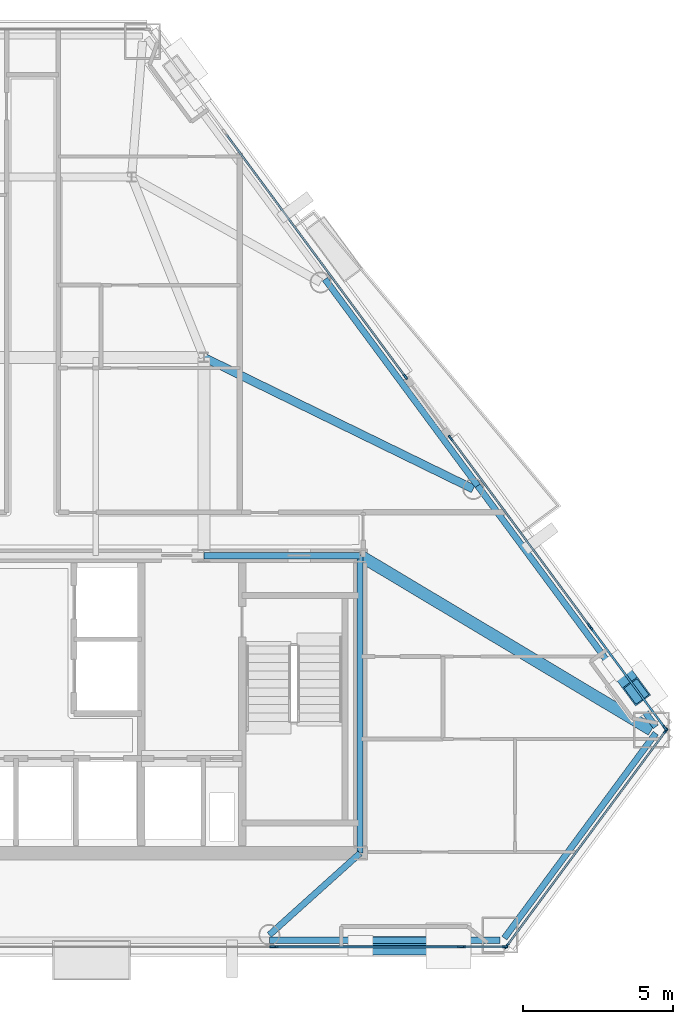
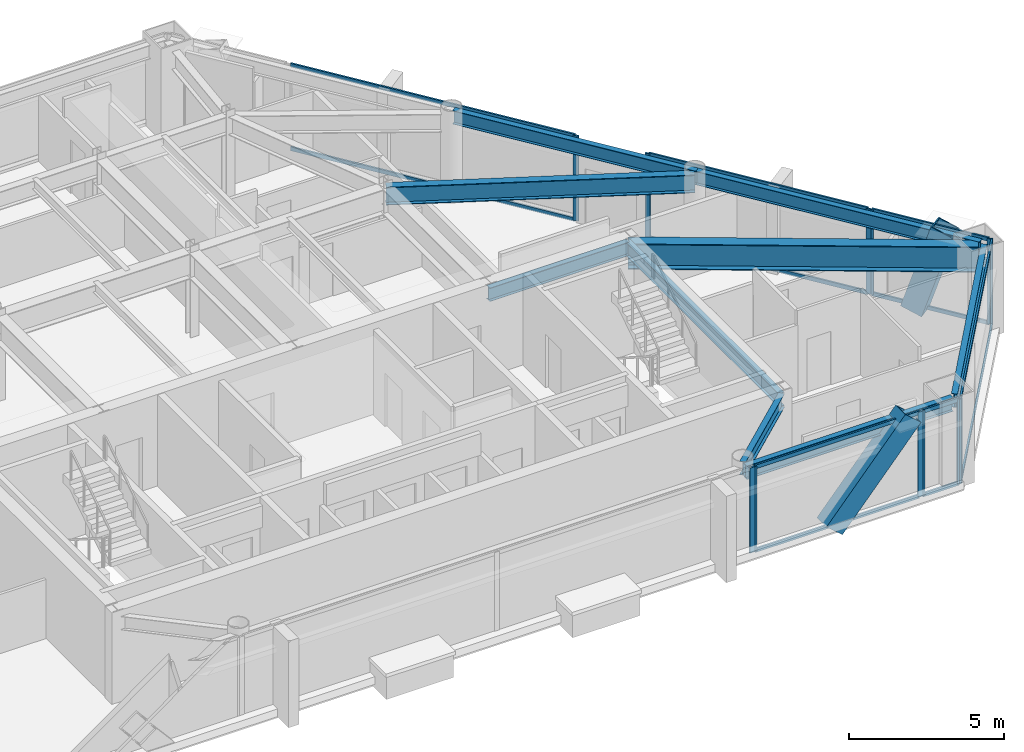
# One storey, part 5 of 11: 26 members, 9 beams, 7 elements without a shape of their own.
"""IFC4 building model written with IfcOpenShell, lengths in metres."""

from ifc_helpers import new_model, si_unit, direction, frame, origin, origin_2d, place, context, subcontext, project, spatial, rectangle, hollow_rectangle, i_section, extrude, material, layer, layer_set, material_profile, profile_set, type_object, element, aggregate, save


model = new_model("IFC4")

# Units and contexts
model_context = context("Model", 3, precision=1e-05, world=origin(), true_north=direction((0.0, 1.0)))
body_context = subcontext(model_context, "Body", "Model", "MODEL_VIEW")
ifc_project = project(units=[si_unit("LENGTHUNIT", "METRE"), si_unit("AREAUNIT", "SQUARE_METRE"), si_unit("VOLUMEUNIT", "CUBIC_METRE"), si_unit("PLANEANGLEUNIT", "RADIAN"), si_unit("MASSUNIT", "GRAM", prefix="KILO")], contexts=[model_context])

# Site, building, storey
site_placement = place(None, origin())
site = spatial("IfcSite", under=ifc_project, at=site_placement, CompositionType="ELEMENT")
building_placement = place(site_placement, origin())
building = spatial("IfcBuilding", under=site, at=building_placement, Name="Talgorran Terracotta Tower", CompositionType="ELEMENT")
storey_placement = place(building_placement, frame((0.0, 0.0, 129.300048828125)))
storey = spatial("IfcBuildingStorey", under=building, at=storey_placement, Name="L33", CompositionType="ELEMENT", Elevation=129.300048828125)

# Beams
ifc_material_1 = material(Name="Steel Grade 350 (350L0)", Category="steel")
ifc_material_profile_1 = material_profile(ifc_material_1, i_section(OverallWidth=0.39990234375, OverallDepth=1.0, WebThickness=0.01611328125, FlangeThickness=0.031005859375, at=origin_2d()), Name="1000WB296")
ifc_profile_set_1 = profile_set([ifc_material_profile_1], Name="Steel Grade 350 (350L0)")
beam_type_1 = type_object("IfcBeamType", Name="BM_1000WB296", PredefinedType="BEAM", material=ifc_profile_set_1)
beam_1_placement = place(storey_placement, frame((12.39990234375, -4.199951171875, 2.849853515625), z_axis=(0.858174722871, -0.513357716436, 0.0), x_axis=(0.513357716436, 0.858174722871, 0.0)))
element("IfcBeam", 1, at=beam_1_placement, inside=storey, type_object=beam_type_1, Name="L33 Floor Girder G18", PredefinedType="BEAM", context=body_context, shape_type="SweptSolid", body=[
    extrude(i_section(OverallWidth=0.39990234375, OverallDepth=1.0, WebThickness=0.01611328125, FlangeThickness=0.031005859375, at=origin_2d()), origin(), (0.0, 0.0, 1.0), 11.298828125),
])
ifc_material_2 = material(Name="Steel S355 (300PLUS)", Category="steel")
ifc_material_profile_2 = material_profile(ifc_material_2, i_section(OverallWidth=0.27490234375, OverallDepth=0.7080078125, WebThickness=0.011962890625, FlangeThickness=0.02490234375, at=origin_2d()), Name="700WB173")
ifc_profile_set_2 = profile_set([ifc_material_profile_2], Name="Steel S355 (300PLUS)")
beam_type_2 = type_object("IfcBeamType", Name="BM_700WB173", PredefinedType="BEAM", material=ifc_profile_set_2)
beam_2_placement = place(storey_placement, frame((7.199951171875, 2.39990234375, 2.995849609375), z_axis=(0.898565721625, -0.438838972655, 0.0), x_axis=(0.438838972655, 0.898565721625, 0.0)))
element("IfcBeam", 2, at=beam_2_placement, inside=storey, type_object=beam_type_2, Name="L33 Floor Girder G07", PredefinedType="BEAM", context=body_context, shape_type="SweptSolid", body=[
    extrude(i_section(OverallWidth=0.27490234375, OverallDepth=0.7080078125, WebThickness=0.011962890625, FlangeThickness=0.02490234375, at=origin_2d()), origin(), (0.0, 0.0, 1.0), 9.981689453125),
])
ifc_material_profile_3 = material_profile(ifc_material_2, i_section(OverallWidth=0.209228515625, OverallDepth=0.532958984375, WebThickness=0.01025390625, FlangeThickness=0.015625, at=origin_2d()), Name="530UB92.4")
ifc_profile_set_3 = profile_set([ifc_material_profile_3], Name="Steel S355 (300PLUS)")
beam_type_3 = type_object("IfcBeamType", Name="BM_SP_530UB92", PredefinedType="SPANDREL", material=ifc_profile_set_3)
beam_3_placement = place(storey_placement, frame((9.381103515625, -16.998779296875, 3.08349609375), z_axis=(1.0, 0.0, 0.0), x_axis=(0.0, 1.0, 0.0)))
element("IfcBeam", 3, at=beam_3_placement, inside=storey, type_object=beam_type_3, Name="L33 Perimeter Spandrel Beam FC2-MC3", PredefinedType="SPANDREL", context=body_context, shape_type="SweptSolid", body=[
    extrude(i_section(OverallWidth=0.209228515625, OverallDepth=0.532958984375, WebThickness=0.01025390625, FlangeThickness=0.015625, at=origin_2d()), origin(), (0.0, 0.0, 1.0), 7.67578125),
])
beam_4_placement = place(storey_placement, frame((17.20166015625, -16.92578125, 3.08349609375), z_axis=(0.594369201234, 0.804192298288, 0.0), x_axis=(-0.804192298288, 0.594369201234, 0.0)))
element("IfcBeam", 4, at=beam_4_placement, inside=storey, type_object=beam_type_3, Name="L33 Perimeter Spandrel Beam MC3-MC4", PredefinedType="SPANDREL", context=body_context, shape_type="SweptSolid", body=[
    extrude(i_section(OverallWidth=0.209228515625, OverallDepth=0.532958984375, WebThickness=0.01025390625, FlangeThickness=0.015625, at=origin_2d()), origin(), (0.0, 0.0, 1.0), 8.478759765625),
])
beam_5_placement = place(storey_placement, frame((22.2412109375, -9.893310546875, 3.08349609375), z_axis=(-0.594352513119, 0.804204632011, 0.0), x_axis=(-0.804204632011, -0.594352513119, 0.0)))
element("IfcBeam", 5, at=beam_5_placement, inside=storey, type_object=beam_type_3, Name="L33 Perimeter Spandrel Beam MC4-FC3", PredefinedType="SPANDREL", context=body_context, shape_type="SweptSolid", body=[
    extrude(i_section(OverallWidth=0.209228515625, OverallDepth=0.532958984375, WebThickness=0.01025390625, FlangeThickness=0.015625, at=origin_2d()), origin(), (0.0, 0.0, 1.0), 9.97265625),
])
beam_6_placement = place(storey_placement, frame((16.31396484375, -1.873291015625, 3.08349609375), z_axis=(-0.594373393058, 0.804189200142, 0.0), x_axis=(-0.804189200142, -0.594373393058, 0.0)))
element("IfcBeam", 6, at=beam_6_placement, inside=storey, type_object=beam_type_3, Name="L33 Perimeter Spandrel Beam FC3-FC4", PredefinedType="SPANDREL", context=body_context, shape_type="SweptSolid", body=[
    extrude(i_section(OverallWidth=0.209228515625, OverallDepth=0.532958984375, WebThickness=0.01025390625, FlangeThickness=0.015625, at=origin_2d()), origin(), (0.0, 0.0, 1.0), 8.5478515625),
])
beam_7_placement = place(storey_placement, frame((12.39990234375, -14.10009765625, 3.08349609375), z_axis=(-0.74306999476, -0.669213704945, 0.0), x_axis=(0.669213704945, -0.74306999476, 0.0)))
element("IfcBeam", 7, at=beam_7_placement, inside=storey, type_object=beam_type_3, Name="L33 South-East Core Tie Beam", PredefinedType="SPANDREL", context=body_context, shape_type="SweptSolid", body=[
    extrude(i_section(OverallWidth=0.209228515625, OverallDepth=0.532958984375, WebThickness=0.01025390625, FlangeThickness=0.015625, at=origin_2d()), origin(), (0.0, 0.0, 1.0), 4.0625),
])
beam_8_placement = place(storey_placement, frame((12.39990234375, -14.10009765625, 3.08349609375), z_axis=(0.0, 1.0, 0.0), x_axis=(-1.0, 0.0, 0.0)))
element("IfcBeam", 8, at=beam_8_placement, inside=storey, type_object=beam_type_3, Name="L33 Core Frame Beam CFE", PredefinedType="SPANDREL", context=body_context, shape_type="SweptSolid", body=[
    extrude(i_section(OverallWidth=0.209228515625, OverallDepth=0.532958984375, WebThickness=0.01025390625, FlangeThickness=0.015625, at=origin_2d()), origin(), (0.0, 0.0, 1.0), 9.900146484375),
])
beam_9_placement = place(storey_placement, frame((7.199951171875, -4.199951171875, 3.08349609375), z_axis=(1.0, 0.0, 0.0), x_axis=(0.0, 1.0, 0.0)))
element("IfcBeam", 9, at=beam_9_placement, inside=storey, type_object=beam_type_3, Name="L33 Core Frame Beam CFN4", PredefinedType="SPANDREL", context=body_context, shape_type="SweptSolid", body=[
    extrude(i_section(OverallWidth=0.209228515625, OverallDepth=0.532958984375, WebThickness=0.01025390625, FlangeThickness=0.015625, at=origin_2d()), origin(), (0.0, 0.0, 1.0), 5.199951171875),
])

# Members
ifc_material_profile_4 = material_profile(ifc_material_1, hollow_rectangle(XDim=0.6201171875, YDim=0.780029296875, WallThickness=0.0419921875, at=origin_2d()), Name="WBOX780X620X42")
ifc_profile_set_4 = profile_set([ifc_material_profile_4], Name="Steel Grade 350 (350L0)")
member_type_1 = type_object("IfcMemberType", Name="MB_MEGA_780", PredefinedType="BRACE", material=ifc_profile_set_4)
member_1_placement = place(storey_placement, frame((12.41162109375, -17.178955078125, -0.025146484375), z_axis=(0.652876142125, 0.0, 0.757464681054), x_axis=(0.0, 1.0, 0.0)))
element("IfcMember", 10, at=member_1_placement, inside=storey, type_object=member_type_1, Name="L33 Exterior Face Mega-Brace MB-2 (SEF)", PredefinedType="BRACE", context=body_context, shape_type="SweptSolid", body=[
    extrude(hollow_rectangle(XDim=0.6201171875, YDim=0.780029296875, WallThickness=0.0419921875, at=origin_2d()), origin(), (0.0, 0.0, 1.0), 4.48876953125),
])
member_2_placement = place(storey_placement, frame((20.96142578125, -7.85888671875, -0.025146484375), z_axis=(0.178542982228, -0.241618581243, 0.953804416374), x_axis=(0.804247199426, 0.594294911821, 0.0)))
element("IfcMember", 11, at=member_2_placement, inside=storey, type_object=member_type_1, Name="L33 Exterior Face Mega-Brace MB-2 (NEL)", PredefinedType="BRACE", context=body_context, shape_type="SweptSolid", body=[
    extrude(hollow_rectangle(XDim=0.6201171875, YDim=0.780029296875, WallThickness=0.0419921875, at=origin_2d()), origin(), (0.0, 0.0, 1.0), 3.56494140625),
])

# Curtain wall, member
ifc_material_3 = material(Name="Unitised Low-E Double Glazing", Category="glass")
ifc_layer = layer(ifc_material_3, 0.199951171875, Name="CW_SYS2_RES_LOW")
ifc_layer_set = layer_set([ifc_layer], Name="Unitised Low-E Double Glazing")
curtain_wall_type = type_object("IfcCurtainWallType", Name="CW_SYS2_RES_LOW", PredefinedType="NOTDEFINED", material=ifc_layer_set)
curtain_wall_1_placement = place(storey_placement, origin())
curtain_wall_1 = element("IfcCurtainWall", 12, at=curtain_wall_1_placement, inside=storey, type_object=curtain_wall_type, Name="CW-L33-F1C", PredefinedType="NOTDEFINED")
ifc_material_4 = material(Name="Architectural Aluminium 6063-T6", Category="aluminium")
ifc_material_profile_5 = material_profile(ifc_material_4, rectangle(XDim=0.06494140625, YDim=0.18505859375, at=origin_2d()), Name="CWM65X185")
ifc_profile_set_5 = profile_set([ifc_material_profile_5], Name="Architectural Aluminium 6063-T6")
member_type_2 = type_object("IfcMemberType", Name="MUL_65X185", PredefinedType="MULLION", material=ifc_profile_set_5)
member_3_placement = place(storey_placement, frame((9.492919921875, -17.218994140625, 0.0), z_axis=(0.0, 0.0, 1.0), x_axis=(0.0, 1.0, 0.0)))
member_3 = element("IfcMember", 13, at=member_3_placement, type_object=member_type_2, Name="CW-L33-1C mullion 3", PredefinedType="MULLION", context=body_context, shape_type="SweptSolid", body=[
    extrude(rectangle(XDim=0.06494140625, YDim=0.18505859375, at=origin_2d()), origin(), (0.0, 0.0, 1.0), 3.349853515625),
])
aggregate(curtain_wall_1, [member_3])

# Curtain wall, members
curtain_wall_2_placement = place(storey_placement, origin())
curtain_wall_2 = element("IfcCurtainWall", 14, at=curtain_wall_2_placement, inside=storey, type_object=curtain_wall_type, Name="CW-L33-F1D", PredefinedType="NOTDEFINED")
member_4_placement = place(storey_placement, frame((9.56787109375, -17.218994140625, 0.0), z_axis=(0.0, 0.0, 1.0), x_axis=(0.0, 1.0, 0.0)))
member_4 = element("IfcMember", 15, at=member_4_placement, type_object=member_type_2, Name="CW-L33-1D mullion 1", PredefinedType="MULLION", context=body_context, shape_type="SweptSolid", body=[
    extrude(rectangle(XDim=0.06494140625, YDim=0.18505859375, at=origin_2d()), origin(), (0.0, 0.0, 1.0), 3.349853515625),
])
member_5_placement = place(storey_placement, frame((15.75, -17.218994140625, 0.0), z_axis=(0.0, 0.0, 1.0), x_axis=(0.0, 1.0, 0.0)))
member_5 = element("IfcMember", 16, at=member_5_placement, type_object=member_type_2, Name="CW-L33-1D mullion 2", PredefinedType="MULLION", context=body_context, shape_type="SweptSolid", body=[
    extrude(rectangle(XDim=0.06494140625, YDim=0.18505859375, at=origin_2d()), origin(), (0.0, 0.0, 1.0), 3.349853515625),
])

curtain_wall_3_placement = place(storey_placement, origin())
curtain_wall_3 = element("IfcCurtainWall", 17, at=curtain_wall_3_placement, inside=storey, type_object=curtain_wall_type, Name="CW-L33-F1E", PredefinedType="NOTDEFINED")
member_6_placement = place(storey_placement, frame((15.8251953125, -17.218994140625, 0.0), z_axis=(0.0, 0.0, 1.0), x_axis=(0.0, 1.0, 0.0)))
member_6 = element("IfcMember", 18, at=member_6_placement, type_object=member_type_2, Name="CW-L33-1E mullion 1", PredefinedType="MULLION", context=body_context, shape_type="SweptSolid", body=[
    extrude(rectangle(XDim=0.06494140625, YDim=0.18505859375, at=origin_2d()), origin(), (0.0, 0.0, 1.0), 3.349853515625),
])
member_7_placement = place(storey_placement, frame((17.22607421875, -17.218994140625, 0.0), z_axis=(0.0, 0.0, 1.0), x_axis=(0.0, 1.0, 0.0)))
member_7 = element("IfcMember", 19, at=member_7_placement, type_object=member_type_2, Name="CW-L33-1E mullion 2", PredefinedType="MULLION", context=body_context, shape_type="SweptSolid", body=[
    extrude(rectangle(XDim=0.06494140625, YDim=0.18505859375, at=origin_2d()), origin(), (0.0, 0.0, 1.0), 3.349853515625),
])

curtain_wall_4_placement = place(storey_placement, origin())
curtain_wall_4 = element("IfcCurtainWall", 20, at=curtain_wall_4_placement, inside=storey, type_object=curtain_wall_type, Name="CW-L33-F2", PredefinedType="NOTDEFINED")
member_8_placement = place(storey_placement, frame((17.27783203125, -17.19287109375, 0.0), z_axis=(0.0, 0.0, 1.0), x_axis=(-0.80420068261, 0.594357856926, 0.0)))
member_8 = element("IfcMember", 21, at=member_8_placement, type_object=member_type_2, Name="CW-L33-2 mullion 1", PredefinedType="MULLION", context=body_context, shape_type="SweptSolid", body=[
    extrude(rectangle(XDim=0.06494140625, YDim=0.18505859375, at=origin_2d()), origin(), (0.0, 0.0, 1.0), 3.349853515625),
])
member_9_placement = place(storey_placement, frame((22.574462890625, -10.0263671875, 0.0), z_axis=(0.0, 0.0, 1.0), x_axis=(-0.80420068261, 0.594357856926, 0.0)))
member_9 = element("IfcMember", 22, at=member_9_placement, type_object=member_type_2, Name="CW-L33-2 mullion 2", PredefinedType="MULLION", context=body_context, shape_type="SweptSolid", body=[
    extrude(rectangle(XDim=0.06494140625, YDim=0.18505859375, at=origin_2d()), origin(), (0.0, 0.0, 1.0), 3.349853515625),
])

curtain_wall_5_placement = place(storey_placement, origin())
curtain_wall_5 = element("IfcCurtainWall", 23, at=curtain_wall_5_placement, inside=storey, type_object=curtain_wall_type, Name="CW-L33-F40", PredefinedType="NOTDEFINED")
member_10_placement = place(storey_placement, frame((22.550537109375, -9.94189453125, 0.0), z_axis=(0.0, 0.0, 1.0), x_axis=(-0.804200158966, -0.594358565446, 0.0)))
member_10 = element("IfcMember", 24, at=member_10_placement, type_object=member_type_2, Name="CW-L33-40 mullion 1", PredefinedType="MULLION", context=body_context, shape_type="SweptSolid", body=[
    extrude(rectangle(XDim=0.06494140625, YDim=0.18505859375, at=origin_2d()), origin(), (0.0, 0.0, 1.0), 3.349853515625),
])
member_11_placement = place(storey_placement, frame((20.0693359375, -6.58447265625, 0.0), z_axis=(0.0, 0.0, 1.0), x_axis=(-0.804200158966, -0.594358565446, 0.0)))
member_11 = element("IfcMember", 25, at=member_11_placement, type_object=member_type_2, Name="CW-L33-40 mullion 2", PredefinedType="MULLION", context=body_context, shape_type="SweptSolid", body=[
    extrude(rectangle(XDim=0.06494140625, YDim=0.18505859375, at=origin_2d()), origin(), (0.0, 0.0, 1.0), 3.349853515625),
])

curtain_wall_6_placement = place(storey_placement, origin())
curtain_wall_6 = element("IfcCurtainWall", 26, at=curtain_wall_6_placement, inside=storey, type_object=curtain_wall_type, Name="CW-L33-F40B", PredefinedType="NOTDEFINED")
member_12_placement = place(storey_placement, frame((20.024658203125, -6.524169921875, 0.0), z_axis=(0.0, 0.0, 1.0), x_axis=(-0.804199498494, -0.5943594591, 0.0)))
member_12 = element("IfcMember", 27, at=member_12_placement, type_object=member_type_2, Name="CW-L33-40B mullion 1", PredefinedType="MULLION", context=body_context, shape_type="SweptSolid", body=[
    extrude(rectangle(XDim=0.06494140625, YDim=0.18505859375, at=origin_2d()), origin(), (0.0, 0.0, 1.0), 3.349853515625),
])
member_13_placement = place(storey_placement, frame((15.40966796875, -0.279541015625, 0.0), z_axis=(0.0, 0.0, 1.0), x_axis=(-0.804199498494, -0.5943594591, 0.0)))
member_13 = element("IfcMember", 28, at=member_13_placement, type_object=member_type_2, Name="CW-L33-40B mullion 2", PredefinedType="MULLION", context=body_context, shape_type="SweptSolid", body=[
    extrude(rectangle(XDim=0.06494140625, YDim=0.18505859375, at=origin_2d()), origin(), (0.0, 0.0, 1.0), 3.349853515625),
])

# Curtain wall, member
curtain_wall_7_placement = place(storey_placement, origin())
curtain_wall_7 = element("IfcCurtainWall", 29, at=curtain_wall_7_placement, inside=storey, type_object=curtain_wall_type, Name="CW-L33-F41", PredefinedType="NOTDEFINED")
member_14_placement = place(storey_placement, frame((13.90869140625, 1.7509765625, 0.0), z_axis=(0.0, 0.0, 1.0), x_axis=(-0.804202196164, -0.594355808995, 0.0)))
member_14 = element("IfcMember", 30, at=member_14_placement, type_object=member_type_2, Name="CW-L33-41 mullion 1", PredefinedType="MULLION", context=body_context, shape_type="SweptSolid", body=[
    extrude(rectangle(XDim=0.06494140625, YDim=0.18505859375, at=origin_2d()), origin(), (0.0, 0.0, 1.0), 3.349853515625),
])

# Member
ifc_material_profile_6 = material_profile(ifc_material_4, rectangle(XDim=0.06494140625, YDim=0.14990234375, at=origin_2d()), Name="CWT65X150")
ifc_profile_set_6 = profile_set([ifc_material_profile_6], Name="Architectural Aluminium 6063-T6")
member_type_3 = type_object("IfcMemberType", Name="TRN_65X150", PredefinedType="USERDEFINED", material=ifc_profile_set_6)
member_15_placement = place(storey_placement, frame((9.600341796875, -17.218994140625, 0.032470703125), z_axis=(1.0, 0.0, 0.0), x_axis=(0.0, 1.0, 0.0)))
member_15 = element("IfcMember", 31, at=member_15_placement, type_object=member_type_3, Name="CW-L33-1D transom 1.1", ObjectType="TRANSOM", PredefinedType="USERDEFINED", context=body_context, shape_type="SweptSolid", body=[
    extrude(rectangle(XDim=0.06494140625, YDim=0.14990234375, at=origin_2d()), origin(), (0.0, 0.0, 1.0), 6.1171875),
])

member_16_placement = place(storey_placement, frame((9.600341796875, -17.218994140625, 3.3173828125), z_axis=(1.0, 0.0, 0.0), x_axis=(0.0, 1.0, 0.0)))
member_16 = element("IfcMember", 32, at=member_16_placement, type_object=member_type_3, Name="CW-L33-1D transom 1.2", ObjectType="TRANSOM", PredefinedType="USERDEFINED", context=body_context, shape_type="SweptSolid", body=[
    extrude(rectangle(XDim=0.06494140625, YDim=0.14990234375, at=origin_2d()), origin(), (0.0, 0.0, 1.0), 6.1171875),
])

aggregate(curtain_wall_2, [member_4, member_5, member_15, member_16])

member_17_placement = place(storey_placement, frame((15.857666015625, -17.218994140625, 0.032470703125), z_axis=(1.0, 0.0, 0.0), x_axis=(0.0, 1.0, 0.0)))
member_17 = element("IfcMember", 33, at=member_17_placement, type_object=member_type_3, Name="CW-L33-1E transom 1.1", ObjectType="TRANSOM", PredefinedType="USERDEFINED", context=body_context, shape_type="SweptSolid", body=[
    extrude(rectangle(XDim=0.06494140625, YDim=0.14990234375, at=origin_2d()), origin(), (0.0, 0.0, 1.0), 1.3359375),
])

member_18_placement = place(storey_placement, frame((15.857666015625, -17.218994140625, 3.3173828125), z_axis=(1.0, 0.0, 0.0), x_axis=(0.0, 1.0, 0.0)))
member_18 = element("IfcMember", 34, at=member_18_placement, type_object=member_type_3, Name="CW-L33-1E transom 1.2", ObjectType="TRANSOM", PredefinedType="USERDEFINED", context=body_context, shape_type="SweptSolid", body=[
    extrude(rectangle(XDim=0.06494140625, YDim=0.14990234375, at=origin_2d()), origin(), (0.0, 0.0, 1.0), 1.3359375),
])

aggregate(curtain_wall_3, [member_6, member_7, member_17, member_18])

member_19_placement = place(storey_placement, frame((17.297119140625, -17.166748046875, 0.032470703125), z_axis=(0.59436855771, 0.804192773908, 0.0), x_axis=(-0.804192773908, 0.59436855771, 0.0)))
member_19 = element("IfcMember", 35, at=member_19_placement, type_object=member_type_3, Name="CW-L33-2 transom 1.1", ObjectType="TRANSOM", PredefinedType="USERDEFINED", context=body_context, shape_type="SweptSolid", body=[
    extrude(rectangle(XDim=0.06494140625, YDim=0.14990234375, at=origin_2d()), origin(), (0.0, 0.0, 1.0), 8.846435546875),
])

member_20_placement = place(storey_placement, frame((17.297119140625, -17.166748046875, 3.3173828125), z_axis=(0.59436855771, 0.804192773908, 0.0), x_axis=(-0.804192773908, 0.59436855771, 0.0)))
member_20 = element("IfcMember", 36, at=member_20_placement, type_object=member_type_3, Name="CW-L33-2 transom 1.2", ObjectType="TRANSOM", PredefinedType="USERDEFINED", context=body_context, shape_type="SweptSolid", body=[
    extrude(rectangle(XDim=0.06494140625, YDim=0.14990234375, at=origin_2d()), origin(), (0.0, 0.0, 1.0), 8.846435546875),
])

aggregate(curtain_wall_4, [member_8, member_9, member_19, member_20])

member_21_placement = place(storey_placement, frame((22.53125, -9.915771484375, 0.032470703125), z_axis=(-0.594339280863, 0.804214411226, 0.0), x_axis=(-0.804214411226, -0.594339280863, 0.0)))
member_21 = element("IfcMember", 37, at=member_21_placement, type_object=member_type_3, Name="CW-L33-40 transom 1.1", ObjectType="TRANSOM", PredefinedType="USERDEFINED", context=body_context, shape_type="SweptSolid", body=[
    extrude(rectangle(XDim=0.06494140625, YDim=0.14990234375, at=origin_2d()), origin(), (0.0, 0.0, 1.0), 4.10986328125),
])

member_22_placement = place(storey_placement, frame((22.53125, -9.915771484375, 3.3173828125), z_axis=(-0.594339280863, 0.804214411226, 0.0), x_axis=(-0.804214411226, -0.594339280863, 0.0)))
member_22 = element("IfcMember", 38, at=member_22_placement, type_object=member_type_3, Name="CW-L33-40 transom 1.2", ObjectType="TRANSOM", PredefinedType="USERDEFINED", context=body_context, shape_type="SweptSolid", body=[
    extrude(rectangle(XDim=0.06494140625, YDim=0.14990234375, at=origin_2d()), origin(), (0.0, 0.0, 1.0), 4.10986328125),
])

aggregate(curtain_wall_5, [member_10, member_11, member_21, member_22])

member_23_placement = place(storey_placement, frame((20.00537109375, -6.498046875, 0.032470703125), z_axis=(-0.594343809961, 0.804211064063, 0.0), x_axis=(-0.804211064063, -0.594343809961, 0.0)))
member_23 = element("IfcMember", 39, at=member_23_placement, type_object=member_type_3, Name="CW-L33-40B transom 1.1", ObjectType="TRANSOM", PredefinedType="USERDEFINED", context=body_context, shape_type="SweptSolid", body=[
    extrude(rectangle(XDim=0.06494140625, YDim=0.14990234375, at=origin_2d()), origin(), (0.0, 0.0, 1.0), 7.699951171875),
])

member_24_placement = place(storey_placement, frame((20.00537109375, -6.498046875, 3.3173828125), z_axis=(-0.594343809961, 0.804211064063, 0.0), x_axis=(-0.804211064063, -0.594343809961, 0.0)))
member_24 = element("IfcMember", 40, at=member_24_placement, type_object=member_type_3, Name="CW-L33-40B transom 1.2", ObjectType="TRANSOM", PredefinedType="USERDEFINED", context=body_context, shape_type="SweptSolid", body=[
    extrude(rectangle(XDim=0.06494140625, YDim=0.14990234375, at=origin_2d()), origin(), (0.0, 0.0, 1.0), 7.699951171875),
])

aggregate(curtain_wall_6, [member_12, member_13, member_23, member_24])

member_25_placement = place(storey_placement, frame((13.889404296875, 1.777099609375, 0.032470703125), z_axis=(-0.594356049928, 0.804202018098, 0.0), x_axis=(-0.804202018098, -0.594356049928, 0.0)))
member_25 = element("IfcMember", 41, at=member_25_placement, type_object=member_type_3, Name="CW-L33-41 transom 1.1", ObjectType="TRANSOM", PredefinedType="USERDEFINED", context=body_context, shape_type="SweptSolid", body=[
    extrude(rectangle(XDim=0.06494140625, YDim=0.14990234375, at=origin_2d()), origin(), (0.0, 0.0, 1.0), 9.999755859375),
])

member_26_placement = place(storey_placement, frame((13.889404296875, 1.777099609375, 3.3173828125), z_axis=(-0.594356049928, 0.804202018098, 0.0), x_axis=(-0.804202018098, -0.594356049928, 0.0)))
member_26 = element("IfcMember", 42, at=member_26_placement, type_object=member_type_3, Name="CW-L33-41 transom 1.2", ObjectType="TRANSOM", PredefinedType="USERDEFINED", context=body_context, shape_type="SweptSolid", body=[
    extrude(rectangle(XDim=0.06494140625, YDim=0.14990234375, at=origin_2d()), origin(), (0.0, 0.0, 1.0), 9.999755859375),
])

aggregate(curtain_wall_7, [member_14, member_25, member_26])

save(model, "model.ifc")
